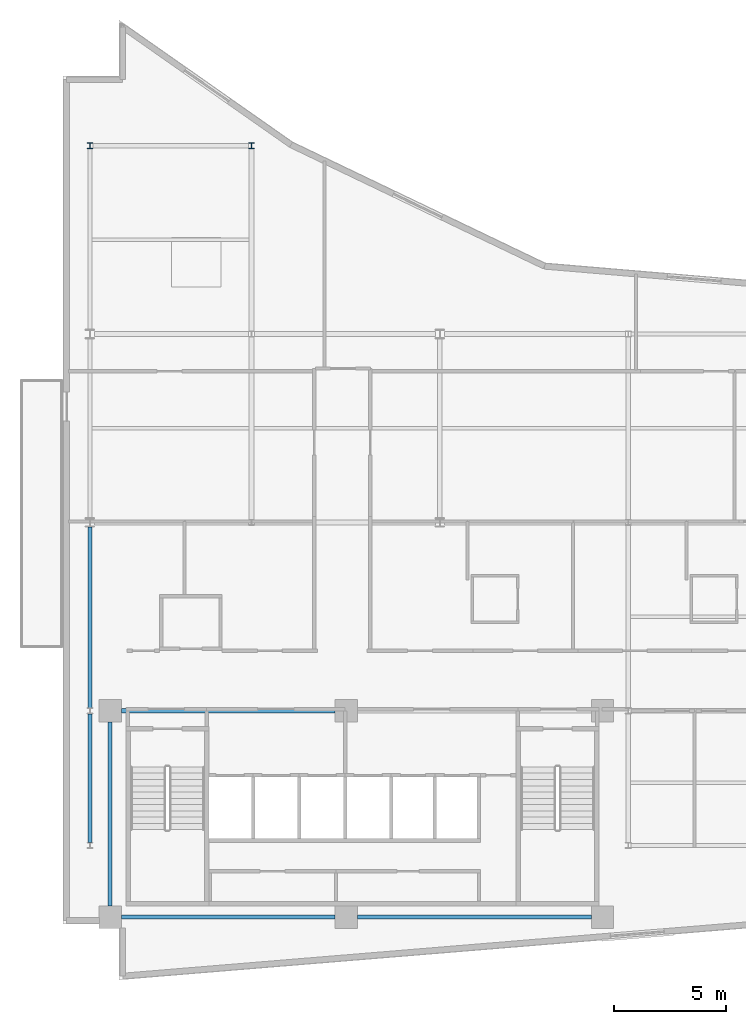
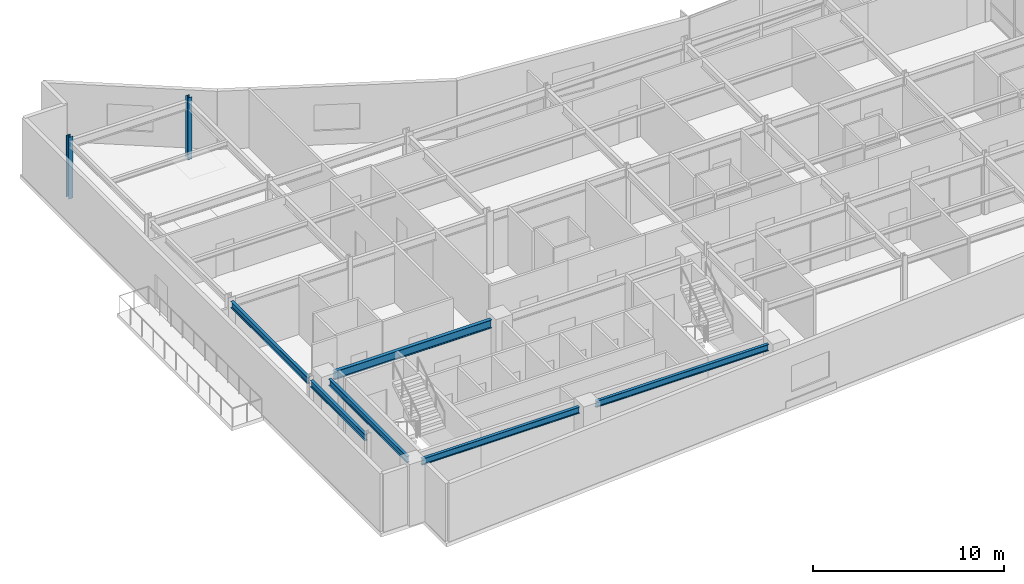
# One storey, part 3 of 16: 6 beams, 2 columns.
"""IFC4 building model written with IfcOpenShell, lengths in metres."""

from ifc_helpers import new_model, si_unit, direction, frame, origin, origin_2d, place, context, subcontext, project, spatial, i_section, extrude, material, material_profile, profile_set, type_object, element, save


model = new_model("IFC4")

# Units and contexts
model_context = context("Model", 3, precision=1e-05, world=origin(), true_north=direction((0.0, 1.0)))
body_context = subcontext(model_context, "Body", "Model", "MODEL_VIEW")
ifc_project = project(units=[si_unit("LENGTHUNIT", "METRE"), si_unit("AREAUNIT", "SQUARE_METRE"), si_unit("VOLUMEUNIT", "CUBIC_METRE"), si_unit("PLANEANGLEUNIT", "RADIAN"), si_unit("MASSUNIT", "GRAM", prefix="KILO")], contexts=[model_context])

# Site, building, storey
site_placement = place(None, origin())
site = spatial("IfcSite", under=ifc_project, at=site_placement, CompositionType="ELEMENT")
building_placement = place(site_placement, origin())
building = spatial("IfcBuilding", under=site, at=building_placement, Name="Varnakote Quay Hospital", CompositionType="ELEMENT")
storey_placement = place(building_placement, frame((0.0, 0.0, 188.14990234375)))
storey = spatial("IfcBuildingStorey", under=building, at=storey_placement, Name="L46", CompositionType="ELEMENT", Elevation=188.14990234375)

# Columns
ifc_material_1 = material(Name="Structural steel AS/NZS 3679.1 Grade 350 L0 (fy 340 MPa)", Category="steel")
ifc_material_profile_1 = material_profile(ifc_material_1, i_section(OverallWidth=0.256103515625, OverallDepth=0.260009765625, WebThickness=0.010498046875, FlangeThickness=0.017333984375, FilletRadius=0.0126953125, at=origin_2d()), Name="250UC89.5")
ifc_profile_set_1 = profile_set([ifc_material_profile_1], Name="Structural steel AS/NZS 3679.1 Grade 350 L0 (fy 340 MPa)")
column_type = type_object("IfcColumnType", Name="COL-STL-250UC89-5", PredefinedType="COLUMN", material=ifc_profile_set_1)
for number, where, z_axis, x_axis, name in (
    (1, (1.199951171875, 37.199951171875, 0.0), (0.0, 0.0, 1.0), (1.0, 0.0, 0.0), "L46 Structural Column C-1-37"),
    (2, (8.39990234375, 37.199951171875, 0.0), (0.0, 0.0, 1.0), (1.0, 0.0, 0.0), "L46 Structural Column C-8-37"),
):
    element("IfcColumn", number, at=place(storey_placement, frame(where, z_axis=z_axis, x_axis=x_axis)), inside=storey, type_object=column_type, Name=name, PredefinedType="COLUMN", context=body_context, shape_type="SweptSolid", body=[
        extrude(i_section(OverallWidth=0.256103515625, OverallDepth=0.260009765625, WebThickness=0.010498046875, FlangeThickness=0.017333984375, FilletRadius=0.0126953125, at=origin_2d()), origin(), (0.0, 0.0, 1.0), 3.9501953125),
    ])

# Beams
ifc_material_2 = material(Name="Structural steel AS/NZS 3679.1 Grade 350 L0 (fy 340 MPa)", Category="steel")
ifc_material_profile_2 = material_profile(ifc_material_2, i_section(OverallWidth=0.208984375, OverallDepth=0.532958984375, WebThickness=0.01025390625, FlangeThickness=0.015625, FilletRadius=0.013916015625, at=origin_2d()), Name="530UB92.4")
ifc_profile_set_2 = profile_set([ifc_material_profile_2], Name="Structural steel AS/NZS 3679.1 Grade 350 L0 (fy 340 MPa)")
beam_type_1 = type_object("IfcBeamType", Name="BM-STL-530UB92-4", PredefinedType="BEAM", material=ifc_profile_set_2)
beam_1_placement = place(storey_placement, frame((2.60009765625, 12.0, 3.443603515625), z_axis=(1.0, 0.0, 0.0), x_axis=(0.0, 1.0, 0.0)))
element("IfcBeam", 3, at=beam_1_placement, inside=storey, type_object=beam_type_1, Name="L46 Primary Floor Beam", PredefinedType="BEAM", context=body_context, shape_type="SweptSolid", body=[
    extrude(i_section(OverallWidth=0.208984375, OverallDepth=0.532958984375, WebThickness=0.01025390625, FlangeThickness=0.015625, FilletRadius=0.013916015625, at=origin_2d()), origin(), (0.0, 0.0, 1.0), 9.52001953125),
])
ifc_material_3 = material(Name="Structural steel AS/NZS 3679.1 Grade 350 L0 (fy 340 MPa)", Category="steel")
ifc_material_profile_3 = material_profile(ifc_material_3, i_section(OverallWidth=0.177978515625, OverallDepth=0.403076171875, WebThickness=0.007568359375, FlangeThickness=0.010986328125, FilletRadius=0.011474609375, at=origin_2d()), Name="410UB53.7")
ifc_profile_set_3 = profile_set([ifc_material_profile_3], Name="Structural steel AS/NZS 3679.1 Grade 350 L0 (fy 340 MPa)")
beam_type_2 = type_object("IfcBeamType", Name="SPN-STL-410UB53-7", PredefinedType="SPANDREL", material=ifc_profile_set_3)
beam_2_placement = place(storey_placement, frame((1.199951171875, 6.1298828125, 3.508544921875), z_axis=(0.0, 1.0, 0.0), x_axis=(-1.0, 0.0, 0.0)))
element("IfcBeam", 4, at=beam_2_placement, inside=storey, type_object=beam_type_2, Name="L46 Perimeter Spandrel Beam", PredefinedType="SPANDREL", context=body_context, shape_type="SweptSolid", body=[
    extrude(i_section(OverallWidth=0.177978515625, OverallDepth=0.403076171875, WebThickness=0.007568359375, FlangeThickness=0.010986328125, FilletRadius=0.011474609375, at=origin_2d()), origin(), (0.0, 0.0, 1.0), 5.740234375),
])
beam_3_placement = place(storey_placement, frame((1.199951171875, 12.1298828125, 3.508544921875), z_axis=(0.0, 1.0, 0.0), x_axis=(-1.0, 0.0, 0.0)))
element("IfcBeam", 5, at=beam_3_placement, inside=storey, type_object=beam_type_2, Name="L46 Perimeter Spandrel Beam", PredefinedType="SPANDREL", context=body_context, shape_type="SweptSolid", body=[
    extrude(i_section(OverallWidth=0.177978515625, OverallDepth=0.403076171875, WebThickness=0.007568359375, FlangeThickness=0.010986328125, FilletRadius=0.011474609375, at=origin_2d()), origin(), (0.0, 0.0, 1.0), 8.068115234375),
])
beam_4_placement = place(storey_placement, frame((2.10009765625, 3.300048828125, 3.508544921875), z_axis=(0.0, 1.0, 0.0), x_axis=(-1.0, 0.0, 0.0)))
element("IfcBeam", 6, at=beam_4_placement, inside=storey, type_object=beam_type_2, Name="L46 Perimeter Spandrel Beam", PredefinedType="SPANDREL", context=body_context, shape_type="SweptSolid", body=[
    extrude(i_section(OverallWidth=0.177978515625, OverallDepth=0.403076171875, WebThickness=0.007568359375, FlangeThickness=0.010986328125, FilletRadius=0.011474609375, at=origin_2d()), origin(), (0.0, 0.0, 1.0), 8.199951171875),
])
ifc_material_4 = material(Name="Structural steel AS/NZS 3679.1 Grade 350 L0 (fy 340 MPa)", Category="steel")
ifc_material_profile_4 = material_profile(ifc_material_4, i_section(OverallWidth=0.177978515625, OverallDepth=0.406005859375, WebThickness=0.0078125, FlangeThickness=0.0126953125, FilletRadius=0.011474609375, at=origin_2d()), Name="410UB59.7")
ifc_profile_set_4 = profile_set([ifc_material_profile_4], Name="Structural steel AS/NZS 3679.1 Grade 350 L0 (fy 340 MPa)")
beam_type_3 = type_object("IfcBeamType", Name="SPN-STL-410UB59-7", PredefinedType="SPANDREL", material=ifc_profile_set_4)
beam_5_placement = place(storey_placement, frame((2.60009765625, 2.800048828125, 3.507080078125), z_axis=(1.0, 0.0, 0.0), x_axis=(0.0, 1.0, 0.0)))
element("IfcBeam", 7, at=beam_5_placement, inside=storey, type_object=beam_type_3, Name="L46 Perimeter Spandrel Beam", PredefinedType="SPANDREL", context=body_context, shape_type="SweptSolid", body=[
    extrude(i_section(OverallWidth=0.177978515625, OverallDepth=0.406005859375, WebThickness=0.0078125, FlangeThickness=0.0126953125, FilletRadius=0.011474609375, at=origin_2d()), origin(), (0.0, 0.0, 1.0), 9.52001953125),
])
beam_6_placement = place(storey_placement, frame((13.1201171875, 2.800048828125, 3.507080078125), z_axis=(1.0, 0.0, 0.0), x_axis=(0.0, 1.0, 0.0)))
element("IfcBeam", 8, at=beam_6_placement, inside=storey, type_object=beam_type_3, Name="L46 Perimeter Spandrel Beam", PredefinedType="SPANDREL", context=body_context, shape_type="SweptSolid", body=[
    extrude(i_section(OverallWidth=0.177978515625, OverallDepth=0.406005859375, WebThickness=0.0078125, FlangeThickness=0.0126953125, FilletRadius=0.011474609375, at=origin_2d()), origin(), (0.0, 0.0, 1.0), 10.429931640625),
])

save(model, "model.ifc")
